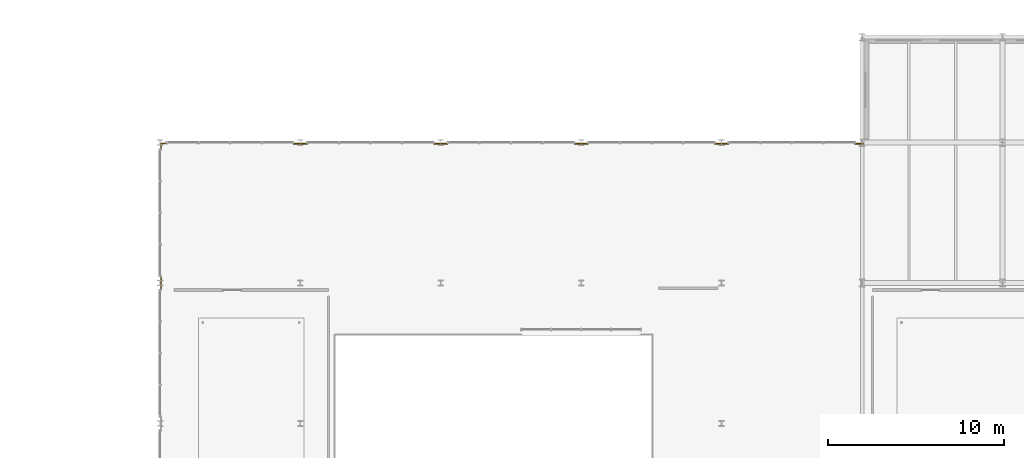
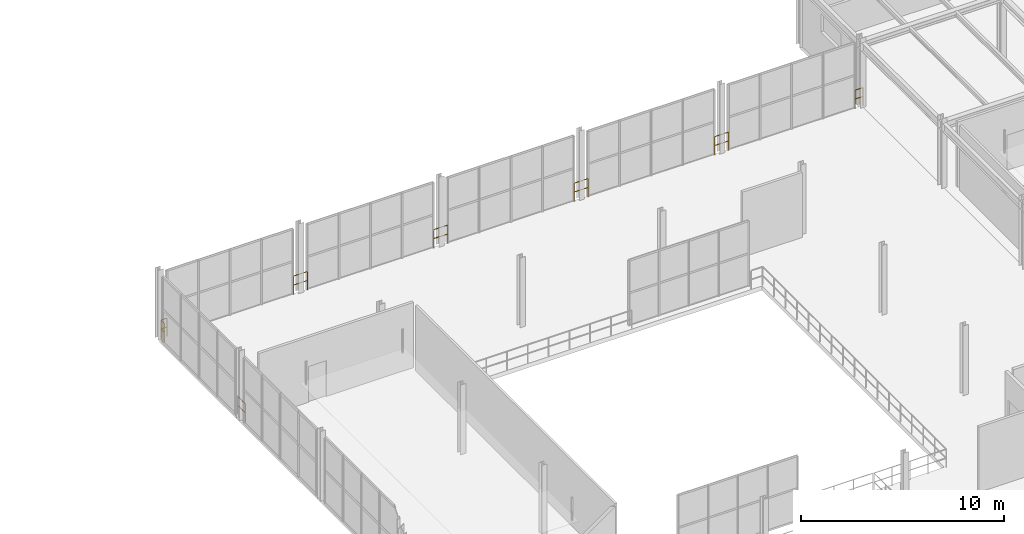
# One storey, part 61 of 67: 7 railings.
"""IFC4 building model written with IfcOpenShell, lengths in metres."""

from ifc_helpers import new_model, si_unit, direction, frame, origin, origin_2d, place, context, subcontext, project, spatial, circle, extrude, material, type_object, element, save


model = new_model("IFC4")

# Units and contexts
model_context = context("Model", 3, precision=1e-05, world=origin(), true_north=direction((0.0, 1.0)))
body_context = subcontext(model_context, "Body", "Model", "MODEL_VIEW")
ifc_project = project(units=[si_unit("LENGTHUNIT", "METRE"), si_unit("AREAUNIT", "SQUARE_METRE"), si_unit("VOLUMEUNIT", "CUBIC_METRE"), si_unit("PLANEANGLEUNIT", "RADIAN"), si_unit("MASSUNIT", "GRAM", prefix="KILO")], contexts=[model_context])

# Site, building, storey
site_placement = place(None, origin())
site = spatial("IfcSite", under=ifc_project, at=site_placement, CompositionType="ELEMENT")
building_placement = place(site_placement, origin())
building = spatial("IfcBuilding", under=site, at=building_placement, Name="Sundkrona Museum", CompositionType="ELEMENT")
storey_placement = place(building_placement, frame((0.0, 0.0, 21.800048828125)))
storey = spatial("IfcBuildingStorey", under=building, at=storey_placement, Name="L04", CompositionType="ELEMENT", Elevation=21.800048828125)

# Railings
ifc_material = material(Name="Painted Steel S355J2 and Laminated Glass Balustrade", Category="steel")
railing_type = type_object("IfcRailingType", Name="RL-GUARD-1100", PredefinedType="BALUSTRADE", material=ifc_material)
railing_1_placement = place(storey_placement, frame((80.06005859375, 31.60009765625, 0.0)))
element("IfcRailing", 1, at=railing_1_placement, inside=storey, type_object=railing_type, Name="L04 Edge Protection Balustrade 009", PredefinedType="BALUSTRADE", context=body_context, shape_type="SweptSolid", body=[
    extrude(circle(Radius=0.02392578125, at=origin_2d()), frame((0.0, 0.0, 1.09619140625), z_axis=(0.0, 1.0, 0.0), x_axis=(-1.0, 0.0, 0.0)), (0.0, 0.0, 1.0), 0.7998046875),
    extrude(circle(Radius=0.02392578125, at=origin_2d()), frame((0.0, 0.0, 0.56005859375), z_axis=(0.0, 1.0, 0.0), x_axis=(-1.0, 0.0, 0.0)), (0.0, 0.0, 1.0), 0.7998046875),
    extrude(circle(Radius=0.02099609375, at=origin_2d()), origin(), (0.0, 0.0, 1.0), 1.072021484375),
    extrude(circle(Radius=0.02099609375, at=origin_2d()), frame((0.0, 0.7998046875, 0.0)), (0.0, 0.0, 1.0), 1.072021484375),
])
railing_2_placement = place(storey_placement, frame((80.06005859375, 39.60009765625, 0.0)))
element("IfcRailing", 2, at=railing_2_placement, inside=storey, type_object=railing_type, Name="L04 Edge Protection Balustrade 010", PredefinedType="BALUSTRADE", context=body_context, shape_type="SweptSolid", body=[
    extrude(circle(Radius=0.02392578125, at=origin_2d()), frame((0.0, 0.0, 1.09619140625), z_axis=(0.0, 1.0, 0.0), x_axis=(-1.0, 0.0, 0.0)), (0.0, 0.0, 1.0), 0.33984375),
    extrude(circle(Radius=0.02392578125, at=origin_2d()), frame((0.0, 0.0, 0.56005859375), z_axis=(0.0, 1.0, 0.0), x_axis=(-1.0, 0.0, 0.0)), (0.0, 0.0, 1.0), 0.33984375),
    extrude(circle(Radius=0.02392578125, at=origin_2d()), frame((0.0, 0.33984375, 1.09619140625), z_axis=(1.0, 0.0, 0.0), x_axis=(0.0, 1.0, 0.0)), (0.0, 0.0, 1.0), 0.33984375),
    extrude(circle(Radius=0.02392578125, at=origin_2d()), frame((0.0, 0.33984375, 0.56005859375), z_axis=(1.0, 0.0, 0.0), x_axis=(0.0, 1.0, 0.0)), (0.0, 0.0, 1.0), 0.33984375),
    extrude(circle(Radius=0.02099609375, at=origin_2d()), origin(), (0.0, 0.0, 1.0), 1.072021484375),
    extrude(circle(Radius=0.02099609375, at=origin_2d()), frame((0.0, 0.33984375, 0.0)), (0.0, 0.0, 1.0), 1.072021484375),
    extrude(circle(Radius=0.02099609375, at=origin_2d()), frame((0.33984375, 0.33984375, 0.0)), (0.0, 0.0, 1.0), 1.072021484375),
])
for number, where, name in (
    (3, (87.60009765625, 39.93994140625, 0.0), "L04 Edge Protection Balustrade 012"),
    (4, (95.60009765625, 39.93994140625, 0.0), "L04 Edge Protection Balustrade 015"),
    (5, (103.60009765625, 39.93994140625, 0.0), "L04 Edge Protection Balustrade 017"),
    (6, (111.60009765625, 39.93994140625, 0.0), "L04 Edge Protection Balustrade 020"),
):
    element("IfcRailing", number, at=place(storey_placement, frame(where)), inside=storey, type_object=railing_type, Name=name, PredefinedType="BALUSTRADE", context=body_context, shape_type="SweptSolid", body=[
        extrude(circle(Radius=0.02392578125, at=origin_2d()), frame((0.0, 0.0, 1.09619140625), z_axis=(1.0, 0.0, 0.0), x_axis=(0.0, 1.0, 0.0)), (0.0, 0.0, 1.0), 0.7998046875),
        extrude(circle(Radius=0.02392578125, at=origin_2d()), frame((0.0, 0.0, 0.56005859375), z_axis=(1.0, 0.0, 0.0), x_axis=(0.0, 1.0, 0.0)), (0.0, 0.0, 1.0), 0.7998046875),
        extrude(circle(Radius=0.02099609375, at=origin_2d()), origin(), (0.0, 0.0, 1.0), 1.072021484375),
        extrude(circle(Radius=0.02099609375, at=origin_2d()), frame((0.7998046875, 0.0, 0.0)), (0.0, 0.0, 1.0), 1.072021484375),
    ])
railing_3_placement = place(storey_placement, frame((119.60009765625, 39.93994140625, 0.0)))
element("IfcRailing", 7, at=railing_3_placement, inside=storey, type_object=railing_type, Name="L04 Edge Protection Balustrade 023", PredefinedType="BALUSTRADE", context=body_context, shape_type="SweptSolid", body=[
    extrude(circle(Radius=0.02392578125, at=origin_2d()), frame((0.0, 0.0, 1.09619140625), z_axis=(1.0, 0.0, 0.0), x_axis=(0.0, 1.0, 0.0)), (0.0, 0.0, 1.0), 0.4599609375),
    extrude(circle(Radius=0.02392578125, at=origin_2d()), frame((0.0, 0.0, 0.56005859375), z_axis=(1.0, 0.0, 0.0), x_axis=(0.0, 1.0, 0.0)), (0.0, 0.0, 1.0), 0.4599609375),
    extrude(circle(Radius=0.02099609375, at=origin_2d()), origin(), (0.0, 0.0, 1.0), 1.072021484375),
    extrude(circle(Radius=0.02099609375, at=origin_2d()), frame((0.4599609375, 0.0, 0.0)), (0.0, 0.0, 1.0), 1.072021484375),
])

save(model, "model.ifc")
